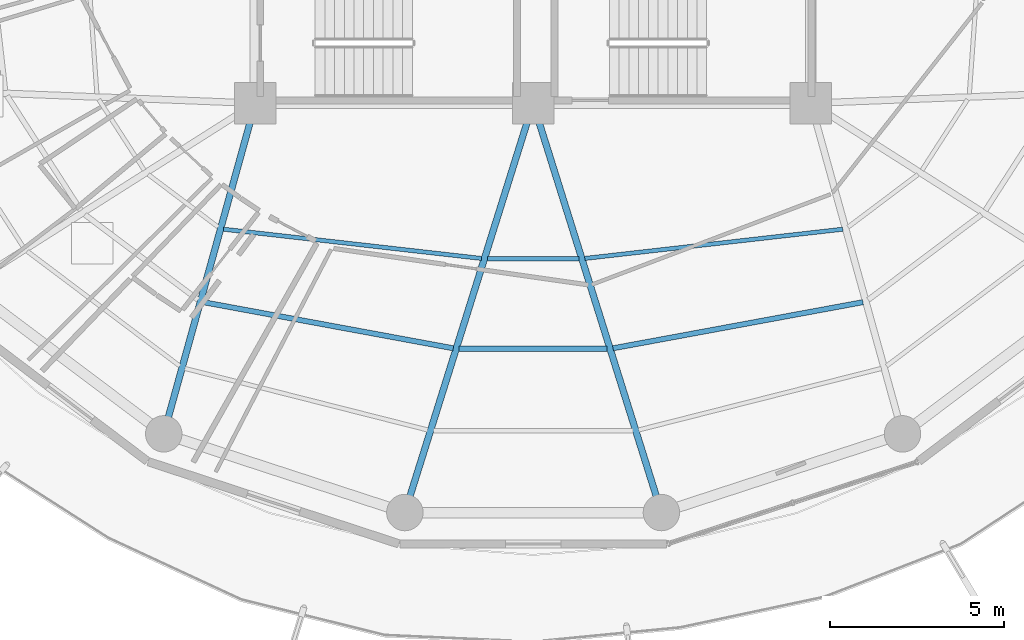
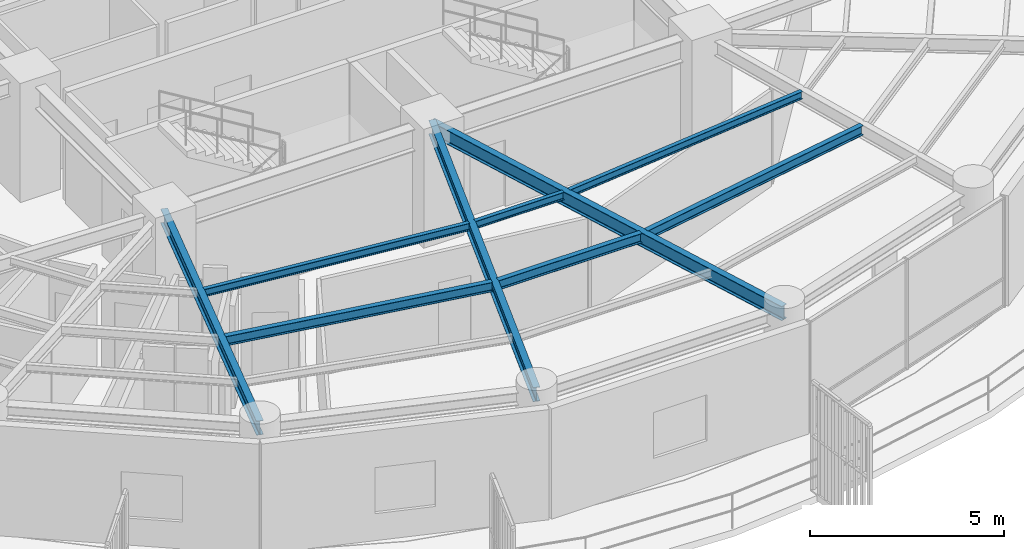
# One storey, part 5 of 31: 9 beams.
"""IFC4 building model written with IfcOpenShell, lengths in metres."""

import ifcopenshell
import ifcopenshell.guid

model = None  # the IFC model being written
_history = None  # IfcOwnerHistory: only IFC2X3 demands one
_inside = {}  # id of a spatial element -> (the spatial element, [elements in it])
_under = {}  # id of a project, library or spatial element -> (it, [spatial elements below it])
_declared = {}  # id of a project -> (the project, [libraries it declares])
_typed = {}  # id of a type object -> (the type object, [elements of that type])
_made_of = {}  # id of a material, layer set ... -> (it, [elements and type objects made of it])


def new_model(schema):
    """Start an empty IFC model of exactly this schema.

    Asked for "IFC4X3", IfcOpenShell would pick the latest addendum, in which some entities
    have other attributes; the version numbers below select the first issue.
    IFC2X3 requires an IfcOwnerHistory on every rooted entity: one is made here for all.
    """
    global model, _history
    if schema == "IFC4X3":
        model = ifcopenshell.file(schema_version=(4, 3, 0, 0))
    else:
        model = ifcopenshell.file(schema=schema)
    _inside.clear()
    _under.clear()
    _declared.clear()
    _typed.clear()
    _made_of.clear()
    _history = None
    if model.schema == "IFC2X3":
        org = make("IfcOrganization", Name="unknown")
        user = make(
            "IfcPersonAndOrganization",
            ThePerson=make("IfcPerson", FamilyName="unknown"),
            TheOrganization=org,
        )
        app = make(
            "IfcApplication",
            ApplicationDeveloper=org,
            Version="unknown",
            ApplicationFullName="unknown",
            ApplicationIdentifier="unknown",
        )
        _history = make(
            "IfcOwnerHistory",
            OwningUser=user,
            OwningApplication=app,
            ChangeAction="ADDED",
            CreationDate=0,
        )
    return model


def make(cls, **values):
    """One entity of the class cls with the attributes given. An attribute that is None is left unset."""
    return model.create_entity(
        cls, **{name: value for name, value in values.items() if value is not None}
    )


def rooted(cls, **values):
    """An entity with a GlobalId (a new one), such as an element, a storey or a relation."""
    return make(cls, GlobalId=ifcopenshell.guid.new(), OwnerHistory=_history, **values)


def si_unit(unit_type, name, prefix=None):
    """IfcSIUnit, for example si_unit("LENGTHUNIT", "METRE", prefix="MILLI")."""
    return make("IfcSIUnit", UnitType=unit_type, Prefix=prefix, Name=name)


def assignment(units):
    """IfcUnitAssignment: the units of a project."""
    return None if units is None else make("IfcUnitAssignment", Units=units)


def point(xyz):
    """IfcCartesianPoint."""
    return None if xyz is None else make("IfcCartesianPoint", Coordinates=xyz)


def direction(xyz):
    """IfcDirection."""
    return None if xyz is None else make("IfcDirection", DirectionRatios=xyz)


def frame(location, z_axis=None, x_axis=None):
    """IfcAxis2Placement3D, a coordinate frame: its origin and axes. An axis left out is left unset."""
    return make(
        "IfcAxis2Placement3D",
        Location=point(location),
        Axis=direction(z_axis),
        RefDirection=direction(x_axis),
    )


def frame_2d(location, x_axis=None):
    """IfcAxis2Placement2D, a coordinate frame in the plane: its origin and x axis."""
    return make(
        "IfcAxis2Placement2D", Location=point(location), RefDirection=direction(x_axis)
    )


def origin():
    """The frame at (0, 0, 0) with its axes left unset."""
    return frame((0.0, 0.0, 0.0))


def origin_2d():
    """The frame at (0, 0) in the plane with its x axis left unset."""
    return frame_2d((0.0, 0.0))


def place(relative_to, where):
    """IfcLocalPlacement: puts the frame where relative to a parent placement (None: the world)."""
    return make(
        "IfcLocalPlacement", PlacementRelTo=relative_to, RelativePlacement=where
    )


def context(
    kind, dimensions, precision=None, world=None, true_north=None, identifier=None
):
    """IfcGeometricRepresentationContext, for example the 3D "Model" context."""
    return make(
        "IfcGeometricRepresentationContext",
        ContextIdentifier=identifier,
        ContextType=kind,
        CoordinateSpaceDimension=dimensions,
        Precision=precision,
        WorldCoordinateSystem=world,
        TrueNorth=true_north,
    )


def subcontext(parent, identifier, kind, view, scale=None):
    """IfcGeometricRepresentationSubContext, for example "Body" below "Model"."""
    return make(
        "IfcGeometricRepresentationSubContext",
        ContextIdentifier=identifier,
        ContextType=kind,
        ParentContext=parent,
        TargetScale=scale,
        TargetView=view,
    )


def project(units=None, contexts=None):
    """IfcProject with its units and contexts."""
    return rooted(
        "IfcProject",
        Name="project",
        RepresentationContexts=contexts,
        UnitsInContext=assignment(units),
    )


def spatial(cls, under=None, at=None, **own):
    """A site, building, storey or space (cls), placed at a placement, below another one or the project."""
    s = rooted(cls, ObjectPlacement=at, **own)
    if under is not None:
        _under.setdefault(under.id(), (under, []))[1].append(s)
    return s


def profile(cls, at=None, kind="AREA", **sizes):
    """A parametric profile (cls). Its sizes go by their IFC names, for example OverallWidth=200.0."""
    return make(cls, ProfileType=kind, Position=at, **sizes)


def i_section(**sizes):
    """IfcIShapeProfileDef."""
    return profile("IfcIShapeProfileDef", **sizes)


def extrude(swept, where, along, depth):
    """IfcExtrudedAreaSolid: the profile swept, set in the frame where, extruded along a direction by depth."""
    return make(
        "IfcExtrudedAreaSolid",
        SweptArea=swept,
        Position=where,
        ExtrudedDirection=direction(along),
        Depth=depth,
    )


def shape(context_of_items, identifier, shape_type, items):
    """IfcShapeRepresentation: the items that make up one representation, for example the "Body"."""
    return make(
        "IfcShapeRepresentation",
        ContextOfItems=context_of_items,
        RepresentationIdentifier=identifier,
        RepresentationType=shape_type,
        Items=items,
    )


def material(Name=None, Category=None):
    """IfcMaterial."""
    return make("IfcMaterial", Name=Name, Category=Category)


def material_profile(
    of_material, cross_section, Name=None, Category=None, Priority=None
):
    """IfcMaterialProfile: a cross section and its material."""
    return make(
        "IfcMaterialProfile",
        Name=Name,
        Material=of_material,
        Profile=cross_section,
        Priority=Priority,
        Category=Category,
    )


def profile_set(profiles, Name=None, composite=None):
    """IfcMaterialProfileSet."""
    return make(
        "IfcMaterialProfileSet",
        Name=Name,
        MaterialProfiles=profiles,
        CompositeProfile=composite,
    )


def made_of(thing, what):
    """Note that an element or type object is made of a material, layer set ...; save() writes the relation."""
    if what is not None:
        _made_of.setdefault(what.id(), (what, []))[1].append(thing)
    return thing


def type_object(cls, material=None, **own):
    """A type object (cls), such as IfcWallType, which elements share."""
    return made_of(rooted(cls, **own), material)


def element(
    cls,
    number,
    at=None,
    inside=None,
    cuts=None,
    type_object=None,
    material=None,
    context=None,
    identifier="Body",
    shape_type=None,
    held_by="IfcProductDefinitionShape",
    body=None,
    shapes=None,
    **own,
):
    """One element of the class cls, such as IfcWall. Its Tag is "e" and its number.

    at: its placement. inside: the storey or other place that contains it. cuts: it is an
    opening in that element (IfcRelVoidsElement). A single representation is given by context,
    identifier, shape_type and body (its items); several are given by shapes. held_by: the class
    of the entity that holds the representations. save() writes the other relations.
    """
    e = rooted(cls, Tag="e%d" % number, ObjectPlacement=at, **own)
    if body is not None:
        shapes = [shape(context, identifier, shape_type, body)]
    if shapes is not None:
        e.Representation = make(held_by, Representations=shapes)
    if inside is not None:
        _inside.setdefault(inside.id(), (inside, []))[1].append(e)
    if cuts is not None:
        rooted(
            "IfcRelVoidsElement", RelatingBuildingElement=cuts, RelatedOpeningElement=e
        )
    if type_object is not None:
        _typed.setdefault(type_object.id(), (type_object, []))[1].append(e)
    return made_of(e, material)


def aggregate(whole, parts):
    """IfcRelAggregates: a whole, such as a stair, and the parts it consists of."""
    return rooted("IfcRelAggregates", RelatingObject=whole, RelatedObjects=parts)


def save(model, path):
    """Write the relations noted so far, then the file.

    IfcRelAggregates (storeys below a building ...), IfcRelContainedInSpatialStructure (elements
    in a storey), IfcRelDefinesByType, IfcRelAssociatesMaterial and IfcRelDeclares: one each for
    every whole, place, type object, material and project.
    """
    for whole, parts in _under.values():
        aggregate(whole, parts)
    for where, things in _inside.values():
        rooted(
            "IfcRelContainedInSpatialStructure",
            RelatedElements=things,
            RelatingStructure=where,
        )
    for kind, things in _typed.values():
        rooted("IfcRelDefinesByType", RelatedObjects=things, RelatingType=kind)
    for what, things in _made_of.values():
        rooted("IfcRelAssociatesMaterial", RelatedObjects=things, RelatingMaterial=what)
    for by, libraries in _declared.values():
        rooted("IfcRelDeclares", RelatingContext=by, RelatedDefinitions=libraries)
    model.write(path)


model = new_model("IFC4")

# Units and contexts
model_context = context("Model", 3, precision=1e-05, world=origin(), true_north=direction((0.0, 1.0)))
body_context = subcontext(model_context, "Body", "Model", "MODEL_VIEW")
ifc_project = project(units=[si_unit("LENGTHUNIT", "METRE"), si_unit("AREAUNIT", "SQUARE_METRE"), si_unit("VOLUMEUNIT", "CUBIC_METRE"), si_unit("PLANEANGLEUNIT", "RADIAN"), si_unit("MASSUNIT", "GRAM", prefix="KILO")], contexts=[model_context])

# Site, building, storey
site_placement = place(None, origin())
site = spatial("IfcSite", under=ifc_project, at=site_placement, CompositionType="ELEMENT")
building_placement = place(site_placement, origin())
building = spatial("IfcBuilding", under=site, at=building_placement, Name="Kelanora Arch Commons", CompositionType="ELEMENT")
storey_placement = place(building_placement, frame((0.0, 0.0, 200.699951171875)))
storey = spatial("IfcBuildingStorey", under=building, at=storey_placement, Name="L51", CompositionType="ELEMENT", Elevation=200.699951171875)

# Beams
ifc_material = material(Name="Steel S355", Category="steel")
ifc_material_profile_1 = material_profile(ifc_material, i_section(OverallWidth=0.14990234375, OverallDepth=0.300048828125, WebThickness=0.007080078125, FlangeThickness=0.0107421875, FilletRadius=0.014892578125, at=origin_2d()), Name="IPE300")
ifc_profile_set_1 = profile_set([ifc_material_profile_1], Name="Steel S355")
beam_type_1 = type_object("IfcBeamType", Name="BM-JST-01", PredefinedType="JOIST", material=ifc_profile_set_1)
beam_1_placement = place(storey_placement, frame((64.49951171875, 45.270263671875, 3.340087890625), z_axis=(0.983389964671, -0.181505309519, 0.0), x_axis=(0.181505309519, 0.983389964671, 0.0)))
element("IfcBeam", 1, at=beam_1_placement, inside=storey, type_object=beam_type_1, Name="Secondary Chord Joist BJB-24 L51", PredefinedType="JOIST", context=body_context, shape_type="SweptSolid", body=[
    extrude(i_section(OverallWidth=0.14990234375, OverallDepth=0.300048828125, WebThickness=0.007080078125, FlangeThickness=0.0107421875, FilletRadius=0.014892578125, at=origin_2d()), origin(), (0.0, 0.0, 1.0), 7.3212890625),
])
beam_2_placement = place(storey_placement, frame((71.867919921875, 43.92578125, 3.340087890625), z_axis=(1.0, 0.0, 0.0), x_axis=(0.0, 1.0, 0.0)))
element("IfcBeam", 2, at=beam_2_placement, inside=storey, type_object=beam_type_1, Name="Secondary Chord Joist BJB-26 L51", PredefinedType="JOIST", context=body_context, shape_type="SweptSolid", body=[
    extrude(i_section(OverallWidth=0.14990234375, OverallDepth=0.300048828125, WebThickness=0.007080078125, FlangeThickness=0.0107421875, FilletRadius=0.014892578125, at=origin_2d()), origin(), (0.0, 0.0, 1.0), 4.26416015625),
])
beam_3_placement = place(storey_placement, frame((76.30078125, 43.94140625, 3.340087890625), z_axis=(0.983389964671, 0.181505309519, 0.0), x_axis=(-0.181505309519, 0.983389964671, 0.0)))
element("IfcBeam", 3, at=beam_3_placement, inside=storey, type_object=beam_type_1, Name="Secondary Chord Joist BJB-28 L51", PredefinedType="JOIST", context=body_context, shape_type="SweptSolid", body=[
    extrude(i_section(OverallWidth=0.14990234375, OverallDepth=0.300048828125, WebThickness=0.007080078125, FlangeThickness=0.0107421875, FilletRadius=0.014892578125, at=origin_2d()), origin(), (0.0, 0.0, 1.0), 7.3212890625),
])
ifc_material_profile_2 = material_profile(ifc_material, i_section(OverallWidth=0.1201171875, OverallDepth=0.239990234375, WebThickness=0.006103515625, FlangeThickness=0.009765625, FilletRadius=0.014892578125, at=origin_2d()), Name="IPE240")
ifc_profile_set_2 = profile_set([ifc_material_profile_2], Name="Steel S355")
beam_type_2 = type_object("IfcBeamType", Name="BM-JST-02", PredefinedType="JOIST", material=ifc_profile_set_2)
beam_4_placement = place(storey_placement, frame((65.081298828125, 47.371337890625, 3.3701171875), z_axis=(0.993639672263, -0.11260640171, 0.0), x_axis=(0.11260640171, 0.993639672263, 0.0)))
element("IfcBeam", 4, at=beam_4_placement, inside=storey, type_object=beam_type_2, Name="Secondary Chord Joist BJA-24 L51", PredefinedType="JOIST", context=body_context, shape_type="SweptSolid", body=[
    extrude(i_section(OverallWidth=0.1201171875, OverallDepth=0.239990234375, WebThickness=0.006103515625, FlangeThickness=0.009765625, FilletRadius=0.014892578125, at=origin_2d()), origin(), (0.0, 0.0, 1.0), 7.477783203125),
])
beam_5_placement = place(storey_placement, frame((72.680908203125, 46.519775390625, 3.3701171875), z_axis=(1.0, 0.0, 0.0), x_axis=(0.0, 1.0, 0.0)))
element("IfcBeam", 5, at=beam_5_placement, inside=storey, type_object=beam_type_2, Name="Secondary Chord Joist BJA-26 L51", PredefinedType="JOIST", context=body_context, shape_type="SweptSolid", body=[
    extrude(i_section(OverallWidth=0.1201171875, OverallDepth=0.239990234375, WebThickness=0.006103515625, FlangeThickness=0.009765625, FilletRadius=0.014892578125, at=origin_2d()), origin(), (0.0, 0.0, 1.0), 2.63818359375),
])
beam_6_placement = place(storey_placement, frame((75.488525390625, 46.529296875, 3.3701171875), z_axis=(0.993639672263, 0.11260640171, 0.0), x_axis=(-0.11260640171, 0.993639672263, 0.0)))
element("IfcBeam", 6, at=beam_6_placement, inside=storey, type_object=beam_type_2, Name="Secondary Chord Joist BJA-28 L51", PredefinedType="JOIST", context=body_context, shape_type="SweptSolid", body=[
    extrude(i_section(OverallWidth=0.1201171875, OverallDepth=0.239990234375, WebThickness=0.006103515625, FlangeThickness=0.009765625, FilletRadius=0.014892578125, at=origin_2d()), origin(), (0.0, 0.0, 1.0), 7.477783203125),
])
ifc_material_profile_3 = material_profile(ifc_material, i_section(OverallWidth=0.18994140625, OverallDepth=0.449951171875, WebThickness=0.009521484375, FlangeThickness=0.0146484375, FilletRadius=0.02099609375, at=origin_2d()), Name="IPE450")
ifc_profile_set_3 = profile_set([ifc_material_profile_3], Name="Steel S355")
beam_type_3 = type_object("IfcBeamType", Name="BM-RAD-Z4", PredefinedType="BEAM", material=ifc_profile_set_3)
beam_7_placement = place(storey_placement, frame((66.0, 51.0, 3.26513671875), z_axis=(-0.267120164296, -0.963663228429, 0.0), x_axis=(0.963663228429, -0.267120164296, 0.0)))
element("IfcBeam", 7, at=beam_7_placement, inside=storey, type_object=beam_type_3, Name="Radial Floor Girder BR-24 L51", PredefinedType="BEAM", context=body_context, shape_type="SweptSolid", body=[
    extrude(i_section(OverallWidth=0.18994140625, OverallDepth=0.449951171875, WebThickness=0.009521484375, FlangeThickness=0.0146484375, FilletRadius=0.02099609375, at=origin_2d()), origin(), (0.0, 0.0, 1.0), 9.8828125),
])
for number, where, z_axis, x_axis, name in (
    (8, (74.0, 51.0, 3.26513671875), (-0.299080457492, -0.954227897279, 0.0), (0.954227897279, -0.299080457492, 0.0), "Radial Floor Girder BR-26 L51"),
    (9, (74.0, 51.0, 3.26513671875), (0.299080457492, -0.954227897279, 0.0), (0.954227897279, 0.299080457492, 0.0), "Radial Floor Girder BR-28 L51"),
):
    element("IfcBeam", number, at=place(storey_placement, frame(where, z_axis=z_axis, x_axis=x_axis)), inside=storey, type_object=beam_type_3, Name=name, PredefinedType="BEAM", context=body_context, shape_type="SweptSolid", body=[
        extrude(i_section(OverallWidth=0.18994140625, OverallDepth=0.449951171875, WebThickness=0.009521484375, FlangeThickness=0.0146484375, FilletRadius=0.02099609375, at=origin_2d()), origin(), (0.0, 0.0, 1.0), 12.35546875),
    ])

save(model, "model.ifc")
